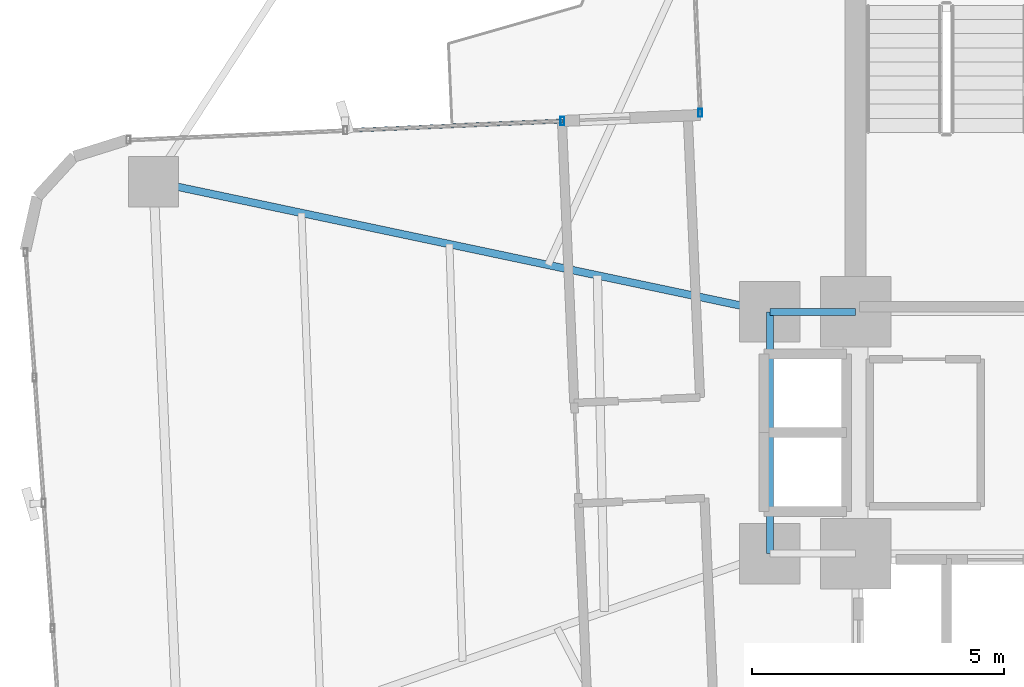
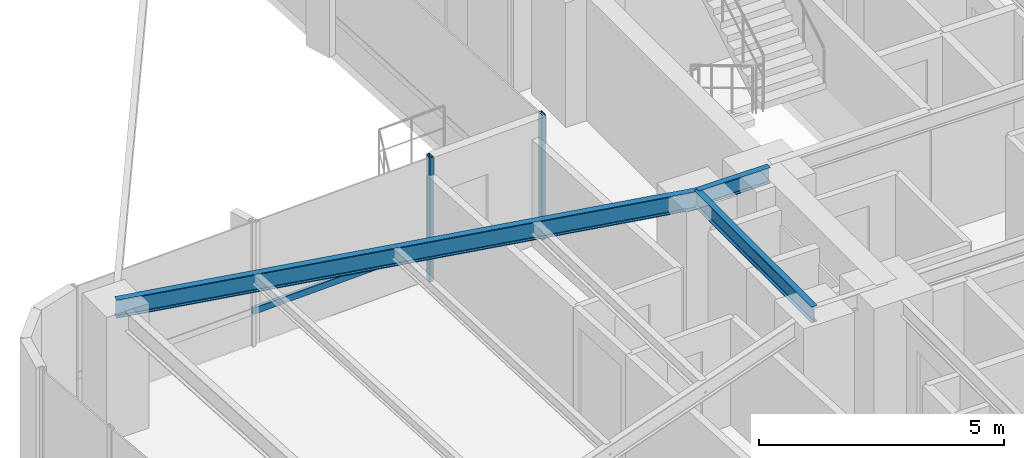
# One storey, part 10 of 26: 3 beams, 3 members, 2 elements without a shape of their own.
"""IFC4 building model written with IfcOpenShell, lengths in metres."""

import ifcopenshell
import ifcopenshell.guid

model = None  # the IFC model being written
_history = None  # IfcOwnerHistory: only IFC2X3 demands one
_inside = {}  # id of a spatial element -> (the spatial element, [elements in it])
_under = {}  # id of a project, library or spatial element -> (it, [spatial elements below it])
_declared = {}  # id of a project -> (the project, [libraries it declares])
_typed = {}  # id of a type object -> (the type object, [elements of that type])
_made_of = {}  # id of a material, layer set ... -> (it, [elements and type objects made of it])


def new_model(schema):
    """Start an empty IFC model of exactly this schema.

    Asked for "IFC4X3", IfcOpenShell would pick the latest addendum, in which some entities
    have other attributes; the version numbers below select the first issue.
    IFC2X3 requires an IfcOwnerHistory on every rooted entity: one is made here for all.
    """
    global model, _history
    if schema == "IFC4X3":
        model = ifcopenshell.file(schema_version=(4, 3, 0, 0))
    else:
        model = ifcopenshell.file(schema=schema)
    _inside.clear()
    _under.clear()
    _declared.clear()
    _typed.clear()
    _made_of.clear()
    _history = None
    if model.schema == "IFC2X3":
        org = make("IfcOrganization", Name="unknown")
        user = make(
            "IfcPersonAndOrganization",
            ThePerson=make("IfcPerson", FamilyName="unknown"),
            TheOrganization=org,
        )
        app = make(
            "IfcApplication",
            ApplicationDeveloper=org,
            Version="unknown",
            ApplicationFullName="unknown",
            ApplicationIdentifier="unknown",
        )
        _history = make(
            "IfcOwnerHistory",
            OwningUser=user,
            OwningApplication=app,
            ChangeAction="ADDED",
            CreationDate=0,
        )
    return model


def make(cls, **values):
    """One entity of the class cls with the attributes given. An attribute that is None is left unset."""
    return model.create_entity(
        cls, **{name: value for name, value in values.items() if value is not None}
    )


def rooted(cls, **values):
    """An entity with a GlobalId (a new one), such as an element, a storey or a relation."""
    return make(cls, GlobalId=ifcopenshell.guid.new(), OwnerHistory=_history, **values)


def si_unit(unit_type, name, prefix=None):
    """IfcSIUnit, for example si_unit("LENGTHUNIT", "METRE", prefix="MILLI")."""
    return make("IfcSIUnit", UnitType=unit_type, Prefix=prefix, Name=name)


def assignment(units):
    """IfcUnitAssignment: the units of a project."""
    return None if units is None else make("IfcUnitAssignment", Units=units)


def point(xyz):
    """IfcCartesianPoint."""
    return None if xyz is None else make("IfcCartesianPoint", Coordinates=xyz)


def direction(xyz):
    """IfcDirection."""
    return None if xyz is None else make("IfcDirection", DirectionRatios=xyz)


def frame(location, z_axis=None, x_axis=None):
    """IfcAxis2Placement3D, a coordinate frame: its origin and axes. An axis left out is left unset."""
    return make(
        "IfcAxis2Placement3D",
        Location=point(location),
        Axis=direction(z_axis),
        RefDirection=direction(x_axis),
    )


def frame_2d(location, x_axis=None):
    """IfcAxis2Placement2D, a coordinate frame in the plane: its origin and x axis."""
    return make(
        "IfcAxis2Placement2D", Location=point(location), RefDirection=direction(x_axis)
    )


def origin():
    """The frame at (0, 0, 0) with its axes left unset."""
    return frame((0.0, 0.0, 0.0))


def origin_2d():
    """The frame at (0, 0) in the plane with its x axis left unset."""
    return frame_2d((0.0, 0.0))


def place(relative_to, where):
    """IfcLocalPlacement: puts the frame where relative to a parent placement (None: the world)."""
    return make(
        "IfcLocalPlacement", PlacementRelTo=relative_to, RelativePlacement=where
    )


def context(
    kind, dimensions, precision=None, world=None, true_north=None, identifier=None
):
    """IfcGeometricRepresentationContext, for example the 3D "Model" context."""
    return make(
        "IfcGeometricRepresentationContext",
        ContextIdentifier=identifier,
        ContextType=kind,
        CoordinateSpaceDimension=dimensions,
        Precision=precision,
        WorldCoordinateSystem=world,
        TrueNorth=true_north,
    )


def subcontext(parent, identifier, kind, view, scale=None):
    """IfcGeometricRepresentationSubContext, for example "Body" below "Model"."""
    return make(
        "IfcGeometricRepresentationSubContext",
        ContextIdentifier=identifier,
        ContextType=kind,
        ParentContext=parent,
        TargetScale=scale,
        TargetView=view,
    )


def project(units=None, contexts=None):
    """IfcProject with its units and contexts."""
    return rooted(
        "IfcProject",
        Name="project",
        RepresentationContexts=contexts,
        UnitsInContext=assignment(units),
    )


def spatial(cls, under=None, at=None, **own):
    """A site, building, storey or space (cls), placed at a placement, below another one or the project."""
    s = rooted(cls, ObjectPlacement=at, **own)
    if under is not None:
        _under.setdefault(under.id(), (under, []))[1].append(s)
    return s


def profile(cls, at=None, kind="AREA", **sizes):
    """A parametric profile (cls). Its sizes go by their IFC names, for example OverallWidth=200.0."""
    return make(cls, ProfileType=kind, Position=at, **sizes)


def hollow_rectangle(**sizes):
    """IfcRectangleHollowProfileDef."""
    return profile("IfcRectangleHollowProfileDef", **sizes)


def i_section(**sizes):
    """IfcIShapeProfileDef."""
    return profile("IfcIShapeProfileDef", **sizes)


def extrude(swept, where, along, depth):
    """IfcExtrudedAreaSolid: the profile swept, set in the frame where, extruded along a direction by depth."""
    return make(
        "IfcExtrudedAreaSolid",
        SweptArea=swept,
        Position=where,
        ExtrudedDirection=direction(along),
        Depth=depth,
    )


def shape(context_of_items, identifier, shape_type, items):
    """IfcShapeRepresentation: the items that make up one representation, for example the "Body"."""
    return make(
        "IfcShapeRepresentation",
        ContextOfItems=context_of_items,
        RepresentationIdentifier=identifier,
        RepresentationType=shape_type,
        Items=items,
    )


def source(mapping_origin, context_of_items, identifier, shape_type, items):
    """IfcRepresentationMap: a shape defined once, which mapped items show again and again."""
    return make(
        "IfcRepresentationMap",
        MappingOrigin=mapping_origin,
        MappedRepresentation=shape(context_of_items, identifier, shape_type, items),
    )


def transform(
    local_origin,
    x_axis=None,
    y_axis=None,
    z_axis=None,
    scale=None,
    scale2=None,
    scale3=None,
    uniform=True,
):
    """IfcCartesianTransformationOperator3D, or its non-uniform kind. x_axis, y_axis, z_axis: its Axis1, 2, 3."""
    if uniform:
        return make(
            "IfcCartesianTransformationOperator3D",
            Axis1=direction(x_axis),
            Axis2=direction(y_axis),
            LocalOrigin=point(local_origin),
            Scale=scale,
            Axis3=direction(z_axis),
        )
    return make(
        "IfcCartesianTransformationOperator3DnonUniform",
        Axis1=direction(x_axis),
        Axis2=direction(y_axis),
        LocalOrigin=point(local_origin),
        Scale=scale,
        Axis3=direction(z_axis),
        Scale2=scale2,
        Scale3=scale3,
    )


def mapped(mapping_source, mapping_target):
    """IfcMappedItem: shows the shape of a source again, moved by a transform."""
    return make(
        "IfcMappedItem", MappingSource=mapping_source, MappingTarget=mapping_target
    )


def material(Name=None, Category=None):
    """IfcMaterial."""
    return make("IfcMaterial", Name=Name, Category=Category)


def material_profile(
    of_material, cross_section, Name=None, Category=None, Priority=None
):
    """IfcMaterialProfile: a cross section and its material."""
    return make(
        "IfcMaterialProfile",
        Name=Name,
        Material=of_material,
        Profile=cross_section,
        Priority=Priority,
        Category=Category,
    )


def profile_set(profiles, Name=None, composite=None):
    """IfcMaterialProfileSet."""
    return make(
        "IfcMaterialProfileSet",
        Name=Name,
        MaterialProfiles=profiles,
        CompositeProfile=composite,
    )


def made_of(thing, what):
    """Note that an element or type object is made of a material, layer set ...; save() writes the relation."""
    if what is not None:
        _made_of.setdefault(what.id(), (what, []))[1].append(thing)
    return thing


def type_object(cls, material=None, **own):
    """A type object (cls), such as IfcWallType, which elements share."""
    return made_of(rooted(cls, **own), material)


def element(
    cls,
    number,
    at=None,
    inside=None,
    cuts=None,
    type_object=None,
    material=None,
    context=None,
    identifier="Body",
    shape_type=None,
    held_by="IfcProductDefinitionShape",
    body=None,
    shapes=None,
    **own,
):
    """One element of the class cls, such as IfcWall. Its Tag is "e" and its number.

    at: its placement. inside: the storey or other place that contains it. cuts: it is an
    opening in that element (IfcRelVoidsElement). A single representation is given by context,
    identifier, shape_type and body (its items); several are given by shapes. held_by: the class
    of the entity that holds the representations. save() writes the other relations.
    """
    e = rooted(cls, Tag="e%d" % number, ObjectPlacement=at, **own)
    if body is not None:
        shapes = [shape(context, identifier, shape_type, body)]
    if shapes is not None:
        e.Representation = make(held_by, Representations=shapes)
    if inside is not None:
        _inside.setdefault(inside.id(), (inside, []))[1].append(e)
    if cuts is not None:
        rooted(
            "IfcRelVoidsElement", RelatingBuildingElement=cuts, RelatedOpeningElement=e
        )
    if type_object is not None:
        _typed.setdefault(type_object.id(), (type_object, []))[1].append(e)
    return made_of(e, material)


def aggregate(whole, parts):
    """IfcRelAggregates: a whole, such as a stair, and the parts it consists of."""
    return rooted("IfcRelAggregates", RelatingObject=whole, RelatedObjects=parts)


def save(model, path):
    """Write the relations noted so far, then the file.

    IfcRelAggregates (storeys below a building ...), IfcRelContainedInSpatialStructure (elements
    in a storey), IfcRelDefinesByType, IfcRelAssociatesMaterial and IfcRelDeclares: one each for
    every whole, place, type object, material and project.
    """
    for whole, parts in _under.values():
        aggregate(whole, parts)
    for where, things in _inside.values():
        rooted(
            "IfcRelContainedInSpatialStructure",
            RelatedElements=things,
            RelatingStructure=where,
        )
    for kind, things in _typed.values():
        rooted("IfcRelDefinesByType", RelatedObjects=things, RelatingType=kind)
    for what, things in _made_of.values():
        rooted("IfcRelAssociatesMaterial", RelatedObjects=things, RelatingMaterial=what)
    for by, libraries in _declared.values():
        rooted("IfcRelDeclares", RelatingContext=by, RelatedDefinitions=libraries)
    model.write(path)


model = new_model("IFC4")

# Units and contexts
model_context = context("Model", 3, precision=1e-05, world=origin(), true_north=direction((0.0, 1.0)))
body_context = subcontext(model_context, "Body", "Model", "MODEL_VIEW")
ifc_project = project(units=[si_unit("LENGTHUNIT", "METRE"), si_unit("AREAUNIT", "SQUARE_METRE"), si_unit("VOLUMEUNIT", "CUBIC_METRE"), si_unit("PLANEANGLEUNIT", "RADIAN"), si_unit("MASSUNIT", "GRAM", prefix="KILO")], contexts=[model_context])

# Site, building, storey
site_placement = place(None, origin())
site = spatial("IfcSite", under=ifc_project, at=site_placement, CompositionType="ELEMENT")
building_placement = place(site_placement, origin())
building = spatial("IfcBuilding", under=site, at=building_placement, Name="Sahyath Konkavel Grand Hotel", CompositionType="ELEMENT")
storey_placement = place(building_placement, frame((0.0, 0.0, 118.14990234375)))
storey = spatial("IfcBuildingStorey", under=building, at=storey_placement, Name="L32", CompositionType="ELEMENT", Elevation=118.14990234375)

# Beams
ifc_material_1 = material(Name="Steel E350", Category="steel")
ifc_material_profile_1 = material_profile(ifc_material_1, i_section(OverallWidth=0.139892578125, OverallDepth=0.39990234375, WebThickness=0.0087890625, FlangeThickness=0.01611328125, FilletRadius=0.013916015625, at=origin_2d()), Name="ISMB 400")
ifc_profile_set_1 = profile_set([ifc_material_profile_1], Name="Steel E350")
beam_type_1 = type_object("IfcBeamType", Name="BM-ISMB400", PredefinedType="BEAM", material=ifc_profile_set_1)
shared_shape_1 = source(origin(), body_context, "Body", "SweptSolid", [
    extrude(i_section(OverallWidth=0.139892578125, OverallDepth=0.39990234375, WebThickness=0.0087890625, FlangeThickness=0.01611328125, FilletRadius=0.013916015625, at=origin_2d()), origin(), (0.0, 0.0, 1.0), 1.699951171875),
])
beam_1_placement = place(storey_placement, frame((-5.5, 2.39990234375, 2.91015625), z_axis=(1.0, 0.0, 0.0), x_axis=(0.0, 1.0, 0.0)))
element("IfcBeam", 1, at=beam_1_placement, inside=storey, type_object=beam_type_1, Name="str:bm:L32:HB-NW", PredefinedType="BEAM", context=body_context, shape_type="MappedRepresentation", body=[
    mapped(shared_shape_1, transform((0.0, 0.0, 0.0), scale=1.0)),
])
shared_shape_2 = source(origin(), body_context, "Body", "SweptSolid", [
    extrude(i_section(OverallWidth=0.139892578125, OverallDepth=0.39990234375, WebThickness=0.0087890625, FlangeThickness=0.01611328125, FilletRadius=0.013916015625, at=origin_2d()), origin(), (0.0, 0.0, 1.0), 4.7998046875),
])
beam_2_placement = place(storey_placement, frame((-5.5, -2.39990234375, 2.91015625), z_axis=(0.0, 1.0, 0.0), x_axis=(-1.0, 0.0, 0.0)))
element("IfcBeam", 2, at=beam_2_placement, inside=storey, type_object=beam_type_1, Name="str:bm:L32:HB-W", PredefinedType="BEAM", context=body_context, shape_type="MappedRepresentation", body=[
    mapped(shared_shape_2, transform((0.0, 0.0, 0.0), scale=1.0)),
])
ifc_material_profile_2 = material_profile(ifc_material_1, i_section(OverallWidth=0.14990234375, OverallDepth=0.449951171875, WebThickness=0.009521484375, FlangeThickness=0.017333984375, FilletRadius=0.014892578125, at=origin_2d()), Name="ISMB 450")
ifc_profile_set_2 = profile_set([ifc_material_profile_2], Name="Steel E350")
beam_type_2 = type_object("IfcBeamType", Name="BM-ISMB450", PredefinedType="BEAM", material=ifc_profile_set_2)
shared_shape_3 = source(origin(), body_context, "Body", "SweptSolid", [
    extrude(i_section(OverallWidth=0.14990234375, OverallDepth=0.449951171875, WebThickness=0.009521484375, FlangeThickness=0.017333984375, FilletRadius=0.014892578125, at=origin_2d()), origin(), (0.0, 0.0, 1.0), 12.50341796875),
])
beam_3_placement = place(storey_placement, frame((-5.5, 2.39990234375, 2.885009765625), z_axis=(-0.978457911392, 0.206446398937, 0.0), x_axis=(-0.206446398937, -0.978457911392, 0.0)))
element("IfcBeam", 3, at=beam_3_placement, inside=storey, type_object=beam_type_2, Name="L32 Cruciform Radial Girder WA", PredefinedType="BEAM", context=body_context, shape_type="MappedRepresentation", body=[
    mapped(shared_shape_3, transform((0.0, 0.0, 0.0), scale=1.0)),
])

# Curtain wall, member
ifc_material_2 = material(Name="Anodised Bronze Aluminium & Low-E Glazing", Category="aluminium")
curtain_wall_type = type_object("IfcCurtainWallType", Name="CW-ZONE2", PredefinedType="NOTDEFINED", material=ifc_material_2)
curtain_wall_1_placement = place(storey_placement, origin())
curtain_wall_1 = element("IfcCurtainWall", 4, at=curtain_wall_1_placement, inside=storey, type_object=curtain_wall_type, Name="L32 Unitised Curtain Wall F15", PredefinedType="NOTDEFINED")
ifc_material_3 = material(Name="Anodised Bronze Aluminium", Category="aluminium")
ifc_material_profile_3 = material_profile(ifc_material_3, hollow_rectangle(XDim=0.080078125, YDim=0.159912109375, WallThickness=0.006103515625, at=origin_2d()), Name="RHS 160x80x6")
ifc_profile_set_3 = profile_set([ifc_material_profile_3], Name="Anodised Bronze Aluminium")
member_type_1 = type_object("IfcMemberType", Name="CW-MUL-160", PredefinedType="MULLION", material=ifc_profile_set_3)
shared_shape_4 = source(origin(), body_context, "Body", "SweptSolid", [
    extrude(hollow_rectangle(XDim=0.080078125, YDim=0.159912109375, WallThickness=0.006103515625, at=origin_2d()), origin(), (0.0, 0.0, 1.0), 3.110107421875),
])
member_1_placement = place(storey_placement, frame((-6.88330078125, 6.345703125, 0.0), z_axis=(0.0, 0.0, 1.0), x_axis=(1.0, 0.0, 0.0)))
member_1 = element("IfcMember", 5, at=member_1_placement, type_object=member_type_1, Name="L32 Curtain Wall Mullion F15-2", PredefinedType="MULLION", context=body_context, shape_type="MappedRepresentation", body=[
    mapped(shared_shape_4, transform((0.0, 0.0, 0.0), scale=1.0)),
])
aggregate(curtain_wall_1, [member_1])

# Curtain wall, members
curtain_wall_2_placement = place(storey_placement, origin())
curtain_wall_2 = element("IfcCurtainWall", 6, at=curtain_wall_2_placement, inside=storey, type_object=curtain_wall_type, Name="L32 Unitised Curtain Wall F16", PredefinedType="NOTDEFINED")
member_2_placement = place(storey_placement, frame((-9.618896484375, 6.186279296875, 0.0), z_axis=(0.0, 0.0, 1.0), x_axis=(1.0, 0.0, 0.0)))
member_2 = element("IfcMember", 7, at=member_2_placement, type_object=member_type_1, Name="L32 Curtain Wall Mullion F16-0", PredefinedType="MULLION", context=body_context, shape_type="MappedRepresentation", body=[
    mapped(shared_shape_4, transform((0.0, 0.0, 0.0), scale=1.0)),
])
ifc_material_profile_4 = material_profile(ifc_material_3, hollow_rectangle(XDim=0.080078125, YDim=0.159912109375, WallThickness=0.006103515625, at=origin_2d()), Name="RHS 160x80x6")
ifc_profile_set_4 = profile_set([ifc_material_profile_4], Name="Anodised Bronze Aluminium")
member_type_2 = type_object("IfcMemberType", Name="CW-TRN-160", PredefinedType="USERDEFINED", material=ifc_profile_set_4)
shared_shape_5 = source(origin(), body_context, "Body", "SweptSolid", [
    extrude(hollow_rectangle(XDim=0.080078125, YDim=0.159912109375, WallThickness=0.006103515625, at=origin_2d()), origin(), (0.0, 0.0, 1.0), 4.31005859375),
])
member_3_placement = place(storey_placement, frame((-9.618896484375, 6.186279296875, 0.85009765625), z_axis=(-0.999048340188, -0.043616670746, 0.0), x_axis=(0.043616670746, -0.999048340188, 0.0)))
member_3 = element("IfcMember", 8, at=member_3_placement, type_object=member_type_2, Name="L32 Curtain Wall Transom F16-0-spandrel", ObjectType="TRANSOM", PredefinedType="USERDEFINED", context=body_context, shape_type="MappedRepresentation", body=[
    mapped(shared_shape_5, transform((0.0, 0.0, 0.0), scale=1.0)),
])
aggregate(curtain_wall_2, [member_2, member_3])

save(model, "model.ifc")
